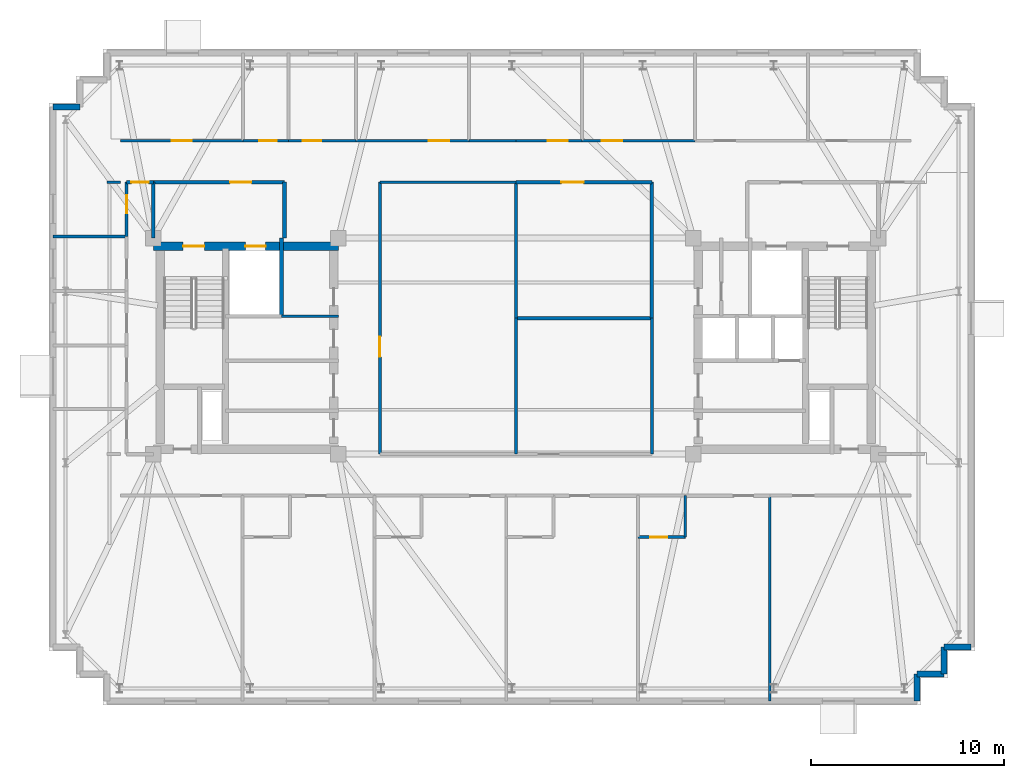
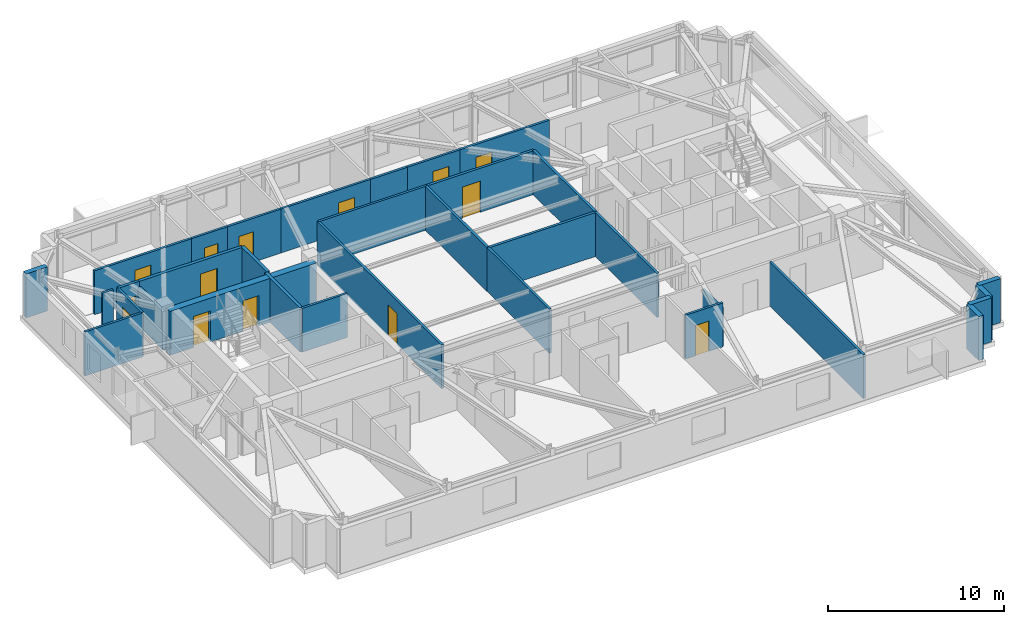
# One storey, part 7 of 12: 33 walls, 14 doors, 14 openings.
"""IFC4 building model written with IfcOpenShell, lengths in metres."""

from ifc_helpers import new_model, si_unit, direction, frame, frame_2d, origin, place, context, subcontext, project, spatial, rectangle, extrude, material, layer, layer_set, type_object, element, fill, save


model = new_model("IFC4")

# Units and contexts
model_context = context("Model", 3, precision=1e-05, world=origin(), true_north=direction((0.0, 1.0)))
body_context = subcontext(model_context, "Body", "Model", "MODEL_VIEW")
ifc_project = project(units=[si_unit("LENGTHUNIT", "METRE"), si_unit("AREAUNIT", "SQUARE_METRE"), si_unit("VOLUMEUNIT", "CUBIC_METRE"), si_unit("PLANEANGLEUNIT", "RADIAN"), si_unit("MASSUNIT", "GRAM", prefix="KILO")], contexts=[model_context])

# Site, building, storey
site_placement = place(None, origin())
site = spatial("IfcSite", under=ifc_project, at=site_placement, CompositionType="ELEMENT")
building_placement = place(site_placement, origin())
building = spatial("IfcBuilding", under=site, at=building_placement, Name="Qobustan Lattice House", CompositionType="ELEMENT")
storey_placement = place(building_placement, frame((0.0, 0.0, 241.699951171875)))
storey = spatial("IfcBuildingStorey", under=building, at=storey_placement, Name="L68", CompositionType="ELEMENT", Elevation=241.699951171875)

# Wall, openings, doors
ifc_material_1 = material(Name="Concrete C50/60", Category="concrete")
ifc_layer_1 = layer(ifc_material_1, 0.43994140625)
ifc_layer_set_1 = layer_set([ifc_layer_1], Name="Concrete C50/60")
wall_type_1 = type_object("IfcWallType", Name="WAL-CORE-440", PredefinedType="SHEAR", material=ifc_layer_set_1)
wall_1_placement = place(storey_placement, frame((-18.800048828125, 5.179931640625, 0.0), z_axis=(0.0, 0.0, 1.0), x_axis=(1.0, 0.0, 0.0)))
wall_1 = element("IfcWall", 1, at=wall_1_placement, inside=storey, type_object=wall_type_1, Name="L68 split-core shear wall CW-N", PredefinedType="SHEAR", context=body_context, shape_type="SweptSolid", body=[
    extrude(rectangle(XDim=9.60009765625, YDim=0.43994140625, at=frame_2d((4.800048828125, 0.0))), origin(), (0.0, 0.0, 1.0), 3.0400390625),
])
opening_1_placement = place(wall_1_placement, frame((1.550048828125, 0.0, 0.0)))
opening_1 = element("IfcOpeningElement", 2, at=opening_1_placement, cuts=wall_1, Name="Opening SD-01", PredefinedType="OPENING", context=body_context, shape_type="SweptSolid", body=[
    extrude(rectangle(XDim=1.10009765625, YDim=2.14990234375, at=frame_2d((0.550048828125, 1.074951171875))), frame((0.0, 0.22998046875, 0.0), z_axis=(0.0, -1.0, 0.0), x_axis=(1.0, 0.0, 0.0)), (0.0, 0.0, 1.0), 0.4599609375),
])
opening_2_placement = place(wall_1_placement, frame((4.77490234375, 0.0, 0.0)))
opening_2 = element("IfcOpeningElement", 3, at=opening_2_placement, cuts=wall_1, Name="Opening LD-01", PredefinedType="OPENING", context=body_context, shape_type="SweptSolid", body=[
    extrude(rectangle(XDim=1.050048828125, YDim=2.10009765625, at=frame_2d((0.52490234375, 1.050048828125))), frame((0.0, 0.22998046875, 0.0), z_axis=(0.0, -1.0, 0.0), x_axis=(1.0, 0.0, 0.0)), (0.0, 0.0, 1.0), 0.4599609375),
])
ifc_material_2 = material(Name="Persian walnut timber and steel frame door", Category="steel")
door_type_1 = type_object("IfcDoorType", Name="DOR-LIFT-LD-1050x2100", OperationType="NOTDEFINED", PredefinedType="DOOR", material=ifc_material_2)
door_1_placement = place(opening_2_placement, origin())
door_1 = element("IfcDoor", 4, at=door_1_placement, inside=storey, type_object=door_type_1, Name="L68 firefighting lift FF-W landing door", OperationType="DOUBLE_DOOR_SLIDING", OverallHeight=2.10009765625, OverallWidth=1.050048828125, PredefinedType="DOOR", context=body_context, shape_type="SweptSolid", body=[
    extrude(rectangle(XDim=1.050048828125, YDim=2.10009765625, at=frame_2d((0.52490234375, 1.050048828125))), frame((0.0, 0.02490234375, 0.0), z_axis=(0.0, -1.0, 0.0), x_axis=(1.0, 0.0, 0.0)), (0.0, 0.0, 1.0), 0.050048828125),
])
fill(opening_2, door_1)
ifc_material_3 = material(Name="Persian walnut timber and steel frame door", Category="steel")
door_type_2 = type_object("IfcDoorType", Name="DOR-STAIR-FD-1100x2150", OperationType="NOTDEFINED", PredefinedType="DOOR", material=ifc_material_3)
door_2_placement = place(opening_1_placement, origin())
door_2 = element("IfcDoor", 5, at=door_2_placement, inside=storey, type_object=door_type_2, Name="L68 exit stair ST-W1 fire door", OperationType="SINGLE_SWING_RIGHT", OverallHeight=2.14990234375, OverallWidth=1.10009765625, PredefinedType="DOOR", context=body_context, shape_type="SweptSolid", body=[
    extrude(rectangle(XDim=1.10009765625, YDim=2.14990234375, at=frame_2d((0.550048828125, 1.074951171875))), frame((0.0, 0.02490234375, 0.0), z_axis=(0.0, -1.0, 0.0), x_axis=(1.0, 0.0, 0.0)), (0.0, 0.0, 1.0), 0.050048828125),
])
fill(opening_1, door_2)

# Walls
ifc_material_4 = material(Name="Precast concrete C40/50", Category="concrete")
ifc_layer_2 = layer(ifc_material_4, 0.320068359375)
ifc_layer_set_2 = layer_set([ifc_layer_2], Name="Precast concrete C40/50")
wall_type_2 = type_object("IfcWallType", Name="WAL-EXT-STONE-320", PredefinedType="SOLIDWALL", material=ifc_layer_set_2)
wall_2_placement = place(storey_placement, frame((-24.0, 12.39990234375, 0.0), z_axis=(0.0, 0.0, 1.0), x_axis=(1.0, 0.0, 0.0)))
element("IfcWall", 6, at=wall_2_placement, inside=storey, type_object=wall_type_2, Name="L68 exterior limestone-clad wall 6", PredefinedType="SOLIDWALL", context=body_context, shape_type="SweptSolid", body=[
    extrude(rectangle(XDim=1.39990234375, YDim=0.320068359375, at=frame_2d((0.699951171875, 0.0))), origin(), (0.0, 0.0, 1.0), 3.0400390625),
])
wall_3_placement = place(storey_placement, frame((23.60009765625, -15.60009765625, 0.0), z_axis=(0.0, 0.0, 1.0), x_axis=(-1.0, 0.0, 0.0)))
element("IfcWall", 7, at=wall_3_placement, inside=storey, type_object=wall_type_2, Name="L68 exterior limestone-clad wall 16", PredefinedType="SOLIDWALL", context=body_context, shape_type="SweptSolid", body=[
    extrude(rectangle(XDim=1.400146484375, YDim=0.320068359375, at=frame_2d((0.7001953125, 0.0))), origin(), (0.0, 0.0, 1.0), 3.0400390625),
])
for number, where, z_axis, x_axis, name in (
    (8, (22.199951171875, -15.60009765625, 0.0), (0.0, 0.0, 1.0), (0.0, -1.0, 0.0), "L68 exterior limestone-clad wall 17"),
    (9, (22.199951171875, -17.0, 0.0), (0.0, 0.0, 1.0), (-1.0, 0.0, 0.0), "L68 exterior limestone-clad wall 18"),
    (10, (20.800048828125, -17.0, 0.0), (0.0, 0.0, 1.0), (0.0, -1.0, 0.0), "L68 exterior limestone-clad wall 19"),
):
    element("IfcWall", number, at=place(storey_placement, frame(where, z_axis=z_axis, x_axis=x_axis)), inside=storey, type_object=wall_type_2, Name=name, PredefinedType="SOLIDWALL", context=body_context, shape_type="SweptSolid", body=[
        extrude(rectangle(XDim=1.39990234375, YDim=0.320068359375, at=frame_2d((0.699951171875, 0.0))), origin(), (0.0, 0.0, 1.0), 3.0400390625),
    ])

# Wall, opening, door
ifc_material_5 = material(Name="Gypsum fireboard acoustic partition", Category="gypsum")
ifc_layer_3 = layer(ifc_material_5, 0.179931640625)
ifc_layer_set_3 = layer_set([ifc_layer_3], Name="Gypsum fireboard acoustic partition")
wall_type_3 = type_object("IfcWallType", Name="WAL-FIRE-180", PredefinedType="PARTITIONING", material=ifc_layer_set_3)
wall_4_placement = place(storey_placement, frame((-18.800048828125, 8.5, 0.0), z_axis=(0.0, 0.0, 1.0), x_axis=(-1.0, 0.0, 0.0)))
wall_4 = element("IfcWall", 11, at=wall_4_placement, inside=storey, type_object=wall_type_3, Name="L68 interior partition 28", PredefinedType="PARTITIONING", context=body_context, shape_type="SweptSolid", body=[
    extrude(rectangle(XDim=1.3798828125, YDim=0.179931640625, at=frame_2d((0.68994140625, 0.0))), origin(), (0.0, 0.0, 1.0), 3.0400390625),
])
opening_3_placement = place(wall_4_placement, frame((0.239990234375, 0.0, 0.0)))
opening_3 = element("IfcOpeningElement", 12, at=opening_3_placement, cuts=wall_4, Name="Opening RD-01", PredefinedType="OPENING", context=body_context, shape_type="SweptSolid", body=[
    extrude(rectangle(XDim=0.89990234375, YDim=2.10009765625, at=frame_2d((0.449951171875, 1.050048828125))), frame((0.0, 0.099853515625, 0.0), z_axis=(0.0, -1.0, 0.0), x_axis=(1.0, 0.0, 0.0)), (0.0, 0.0, 1.0), 0.199951171875),
])
ifc_material_6 = material(Name="Persian walnut timber and steel frame door", Category="steel")
door_type_3 = type_object("IfcDoorType", Name="DOR-RISER-FD-900x2100", OperationType="NOTDEFINED", PredefinedType="DOOR", material=ifc_material_6)
door_3_placement = place(opening_3_placement, origin())
door_3 = element("IfcDoor", 13, at=door_3_placement, inside=storey, type_object=door_type_3, Name="L68 North-west floor corridor to Residence entrance hall L68W door", OperationType="SINGLE_SWING_RIGHT", OverallHeight=2.10009765625, OverallWidth=0.89990234375, PredefinedType="DOOR", context=body_context, shape_type="SweptSolid", body=[
    extrude(rectangle(XDim=0.89990234375, YDim=2.10009765625, at=frame_2d((0.449951171875, 1.050048828125))), frame((0.0, 0.02490234375, 0.0), z_axis=(0.0, -1.0, 0.0), x_axis=(1.0, 0.0, 0.0)), (0.0, 0.0, 1.0), 0.050048828125),
])
fill(opening_3, door_3)

# Walls
ifc_material_7 = material(Name="Acoustic twin-stud gypsum partition", Category="gypsum")
ifc_layer_4 = layer(ifc_material_7, 0.14990234375)
ifc_layer_set_4 = layer_set([ifc_layer_4], Name="Acoustic twin-stud gypsum partition")
wall_type_4 = type_object("IfcWallType", Name="WAL-PART-150", PredefinedType="PARTITIONING", material=ifc_layer_set_4)
wall_5_placement = place(storey_placement, frame((-12.14990234375, 1.550048828125, 0.0), z_axis=(0.0, 0.0, 1.0), x_axis=(1.0, 0.0, 0.0)))
element("IfcWall", 14, at=wall_5_placement, inside=storey, type_object=wall_type_4, Name="L68 interior partition 6", PredefinedType="PARTITIONING", context=body_context, shape_type="SweptSolid", body=[
    extrude(rectangle(XDim=2.949951171875, YDim=0.14990234375, at=frame_2d((1.47509765625, 0.0))), origin(), (0.0, 0.0, 1.0), 3.0400390625),
])
wall_6_placement = place(storey_placement, frame((-20.5, 8.5, 0.0), z_axis=(0.0, 0.0, 1.0), x_axis=(-1.0, 0.0, 0.0)))
element("IfcWall", 15, at=wall_6_placement, inside=storey, type_object=wall_type_4, Name="L68 interior partition 29", PredefinedType="PARTITIONING", context=body_context, shape_type="SweptSolid", body=[
    extrude(rectangle(XDim=0.699951171875, YDim=0.14990234375, at=frame_2d((0.35009765625, 0.0))), origin(), (0.0, 0.0, 1.0), 3.0400390625),
])

# Wall, opening, door
wall_7_placement = place(storey_placement, frame((-20.5, 10.64990234375, 0.0), z_axis=(0.0, 0.0, 1.0), x_axis=(1.0, 0.0, 0.0)))
wall_7 = element("IfcWall", 16, at=wall_7_placement, inside=storey, type_object=wall_type_4, Name="L68 interior partition 30", PredefinedType="PARTITIONING", context=body_context, shape_type="SweptSolid", body=[
    extrude(rectangle(XDim=6.35693359375, YDim=0.14990234375, at=frame_2d((3.178466796875, 0.0))), origin(), (0.0, 0.0, 1.0), 3.0400390625),
])
opening_4_placement = place(wall_7_placement, frame((2.653564453125, 0.0, 0.0)))
opening_4 = element("IfcOpeningElement", 17, at=opening_4_placement, cuts=wall_7, Name="Opening ID-02", PredefinedType="OPENING", context=body_context, shape_type="SweptSolid", body=[
    extrude(rectangle(XDim=1.050048828125, YDim=2.14990234375, at=frame_2d((0.52490234375, 1.074951171875))), frame((0.0, 0.0849609375, 0.0), z_axis=(0.0, -1.0, 0.0), x_axis=(1.0, 0.0, 0.0)), (0.0, 0.0, 1.0), 0.169921875),
])
ifc_material_8 = material(Name="Persian walnut timber and steel frame door", Category="steel")
door_type_4 = type_object("IfcDoorType", Name="DOR-STUDY-1050x2150", OperationType="NOTDEFINED", PredefinedType="DOOR", material=ifc_material_8)
door_4_placement = place(opening_4_placement, origin())
door_4 = element("IfcDoor", 18, at=door_4_placement, inside=storey, type_object=door_type_4, Name="L68 North-west floor corridor to Focus study room N1 door", OperationType="SINGLE_SWING_LEFT", OverallHeight=2.14990234375, OverallWidth=1.050048828125, PredefinedType="DOOR", context=body_context, shape_type="SweptSolid", body=[
    extrude(rectangle(XDim=1.050048828125, YDim=2.14990234375, at=frame_2d((0.52490234375, 1.074951171875))), frame((0.0, 0.02490234375, 0.0), z_axis=(0.0, -1.0, 0.0), x_axis=(1.0, 0.0, 0.0)), (0.0, 0.0, 1.0), 0.050048828125),
])
fill(opening_4, door_4)

wall_8_placement = place(storey_placement, frame((-11.79296875, 10.64990234375, 0.0), z_axis=(0.0, 0.0, 1.0), x_axis=(1.0, 0.0, 0.0)))
wall_8 = element("IfcWall", 19, at=wall_8_placement, inside=storey, type_object=wall_type_4, Name="L68 interior partition 32", PredefinedType="PARTITIONING", context=body_context, shape_type="SweptSolid", body=[
    extrude(rectangle(XDim=3.507080078125, YDim=0.14990234375, at=frame_2d((1.75341796875, 0.0))), origin(), (0.0, 0.0, 1.0), 3.0400390625),
])
opening_5_placement = place(wall_8_placement, frame((0.754638671875, 0.0, 0.0)))
opening_5 = element("IfcOpeningElement", 20, at=opening_5_placement, cuts=wall_8, Name="Opening ID-01", PredefinedType="OPENING", context=body_context, shape_type="SweptSolid", body=[
    extrude(rectangle(XDim=0.949951171875, YDim=2.10009765625, at=frame_2d((0.47509765625, 1.050048828125))), frame((0.0, 0.0849609375, 0.0), z_axis=(0.0, -1.0, 0.0), x_axis=(1.0, 0.0, 0.0)), (0.0, 0.0, 1.0), 0.169921875),
])
ifc_material_9 = material(Name="Persian walnut timber and steel frame door", Category="steel")
door_type_5 = type_object("IfcDoorType", Name="DOR-ROOM-950x2100", OperationType="NOTDEFINED", PredefinedType="DOOR", material=ifc_material_9)
door_5_placement = place(opening_5_placement, origin())
door_5 = element("IfcDoor", 21, at=door_5_placement, inside=storey, type_object=door_type_5, Name="L68 North-west floor corridor to Laundry utility room door", OperationType="SINGLE_SWING_LEFT", OverallHeight=2.10009765625, OverallWidth=0.949951171875, PredefinedType="DOOR", context=body_context, shape_type="SweptSolid", body=[
    extrude(rectangle(XDim=0.949951171875, YDim=2.10009765625, at=frame_2d((0.47509765625, 1.050048828125))), frame((0.0, 0.02490234375, 0.0), z_axis=(0.0, -1.0, 0.0), x_axis=(1.0, 0.0, 0.0)), (0.0, 0.0, 1.0), 0.050048828125),
])
fill(opening_5, door_5)

wall_9_placement = place(storey_placement, frame((-8.285888671875, 10.64990234375, 0.0), z_axis=(0.0, 0.0, 1.0), x_axis=(1.0, 0.0, 0.0)))
wall_9 = element("IfcWall", 22, at=wall_9_placement, inside=storey, type_object=wall_type_4, Name="L68 interior partition 33", PredefinedType="PARTITIONING", context=body_context, shape_type="SweptSolid", body=[
    extrude(rectangle(XDim=5.85693359375, YDim=0.14990234375, at=frame_2d((2.928466796875, 0.0))), origin(), (0.0, 0.0, 1.0), 3.0400390625),
])
opening_6_placement = place(wall_9_placement, frame((3.77099609375, 0.0, 0.0)))
opening_6 = element("IfcOpeningElement", 23, at=opening_6_placement, cuts=wall_9, Name="Opening ID-02", PredefinedType="OPENING", context=body_context, shape_type="SweptSolid", body=[
    extrude(rectangle(XDim=1.050048828125, YDim=2.14990234375, at=frame_2d((0.52490234375, 1.074951171875))), frame((0.0, 0.0849609375, 0.0), z_axis=(0.0, -1.0, 0.0), x_axis=(1.0, 0.0, 0.0)), (0.0, 0.0, 1.0), 0.169921875),
])
door_6_placement = place(opening_6_placement, origin())
door_6 = element("IfcDoor", 24, at=door_6_placement, inside=storey, type_object=door_type_4, Name="L68 North-west floor corridor to Focus study room N3 door", OperationType="SINGLE_SWING_RIGHT", OverallHeight=2.14990234375, OverallWidth=1.050048828125, PredefinedType="DOOR", context=body_context, shape_type="SweptSolid", body=[
    extrude(rectangle(XDim=1.050048828125, YDim=2.14990234375, at=frame_2d((0.52490234375, 1.074951171875))), frame((0.0, 0.02490234375, 0.0), z_axis=(0.0, -1.0, 0.0), x_axis=(1.0, 0.0, 0.0)), (0.0, 0.0, 1.0), 0.050048828125),
])
fill(opening_6, door_6)

# Walls
wall_10_placement = place(storey_placement, frame((-2.428955078125, 10.64990234375, 0.0), z_axis=(0.0, 0.0, 1.0), x_axis=(1.0, 0.0, 0.0)))
element("IfcWall", 25, at=wall_10_placement, inside=storey, type_object=wall_type_4, Name="L68 interior partition 34", PredefinedType="PARTITIONING", context=body_context, shape_type="SweptSolid", body=[
    extrude(rectangle(XDim=2.428955078125, YDim=0.14990234375, at=frame_2d((1.21435546875, 0.0))), origin(), (0.0, 0.0, 1.0), 3.0400390625),
])
wall_11_placement = place(storey_placement, frame((0.0, 8.5, 0.0), z_axis=(0.0, 0.0, 1.0), x_axis=(-1.0, 0.0, 0.0)))
element("IfcWall", 26, at=wall_11_placement, inside=storey, type_object=wall_type_4, Name="L68 interior partition 35", PredefinedType="PARTITIONING", context=body_context, shape_type="SweptSolid", body=[
    extrude(rectangle(XDim=7.050048828125, YDim=0.14990234375, at=frame_2d((3.52490234375, 0.0))), origin(), (0.0, 0.0, 1.0), 3.0400390625),
])

# Wall, opening, door
wall_12_placement = place(storey_placement, frame((0.0, 10.64990234375, 0.0), z_axis=(0.0, 0.0, 1.0), x_axis=(1.0, 0.0, 0.0)))
wall_12 = element("IfcWall", 27, at=wall_12_placement, inside=storey, type_object=wall_type_4, Name="L68 interior partition 38", PredefinedType="PARTITIONING", context=body_context, shape_type="SweptSolid", body=[
    extrude(rectangle(XDim=3.428955078125, YDim=0.14990234375, at=frame_2d((1.71435546875, 0.0))), origin(), (0.0, 0.0, 1.0), 3.0400390625),
])
opening_7_placement = place(wall_12_placement, frame((1.646484375, 0.0, 0.0)))
opening_7 = element("IfcOpeningElement", 28, at=opening_7_placement, cuts=wall_12, Name="Opening ID-02", PredefinedType="OPENING", context=body_context, shape_type="SweptSolid", body=[
    extrude(rectangle(XDim=1.050048828125, YDim=2.14990234375, at=frame_2d((0.52490234375, 1.074951171875))), frame((0.0, 0.0849609375, 0.0), z_axis=(0.0, -1.0, 0.0), x_axis=(1.0, 0.0, 0.0)), (0.0, 0.0, 1.0), 0.169921875),
])
door_7_placement = place(opening_7_placement, origin())
door_7 = element("IfcDoor", 29, at=door_7_placement, inside=storey, type_object=door_type_4, Name="L68 North-east floor corridor to Focus study room N4 door", OperationType="SINGLE_SWING_RIGHT", OverallHeight=2.14990234375, OverallWidth=1.050048828125, PredefinedType="DOOR", context=body_context, shape_type="SweptSolid", body=[
    extrude(rectangle(XDim=1.050048828125, YDim=2.14990234375, at=frame_2d((0.52490234375, 1.074951171875))), frame((0.0, 0.02490234375, 0.0), z_axis=(0.0, -1.0, 0.0), x_axis=(1.0, 0.0, 0.0)), (0.0, 0.0, 1.0), 0.050048828125),
])
fill(opening_7, door_7)

wall_13_placement = place(storey_placement, frame((3.428955078125, 10.64990234375, 0.0), z_axis=(0.0, 0.0, 1.0), x_axis=(1.0, 0.0, 0.0)))
wall_13 = element("IfcWall", 30, at=wall_13_placement, inside=storey, type_object=wall_type_4, Name="L68 interior partition 39", PredefinedType="PARTITIONING", context=body_context, shape_type="SweptSolid", body=[
    extrude(rectangle(XDim=5.85693359375, YDim=0.14990234375, at=frame_2d((2.928466796875, 0.0))), origin(), (0.0, 0.0, 1.0), 3.0400390625),
])
opening_8_placement = place(wall_13_placement, frame((1.035888671875, 0.0, 0.0)))
opening_8 = element("IfcOpeningElement", 31, at=opening_8_placement, cuts=wall_13, Name="Opening ID-02", PredefinedType="OPENING", context=body_context, shape_type="SweptSolid", body=[
    extrude(rectangle(XDim=1.050048828125, YDim=2.14990234375, at=frame_2d((0.52490234375, 1.074951171875))), frame((0.0, 0.0849609375, 0.0), z_axis=(0.0, -1.0, 0.0), x_axis=(1.0, 0.0, 0.0)), (0.0, 0.0, 1.0), 0.169921875),
])
door_8_placement = place(opening_8_placement, origin())
door_8 = element("IfcDoor", 32, at=door_8_placement, inside=storey, type_object=door_type_4, Name="L68 North-east floor corridor to Focus study room N5 door", OperationType="SINGLE_SWING_LEFT", OverallHeight=2.14990234375, OverallWidth=1.050048828125, PredefinedType="DOOR", context=body_context, shape_type="SweptSolid", body=[
    extrude(rectangle(XDim=1.050048828125, YDim=2.14990234375, at=frame_2d((0.52490234375, 1.074951171875))), frame((0.0, 0.02490234375, 0.0), z_axis=(0.0, -1.0, 0.0), x_axis=(1.0, 0.0, 0.0)), (0.0, 0.0, 1.0), 0.050048828125),
])
fill(opening_8, door_8)

wall_14_placement = place(storey_placement, frame((-7.050048828125, 8.5, 0.0), z_axis=(0.0, 0.0, 1.0), x_axis=(0.0, -1.0, 0.0)))
wall_14 = element("IfcWall", 33, at=wall_14_placement, inside=storey, type_object=wall_type_4, Name="L68 interior partition 60", PredefinedType="PARTITIONING", context=body_context, shape_type="SweptSolid", body=[
    extrude(rectangle(XDim=14.10009765625, YDim=0.14990234375, at=frame_2d((7.050048828125, 0.0))), origin(), (0.0, 0.0, 1.0), 3.0400390625),
])
opening_9_placement = place(wall_14_placement, frame((8.01123046875, 0.0, 0.0)))
opening_9 = element("IfcOpeningElement", 34, at=opening_9_placement, cuts=wall_14, Name="Opening ID-02", PredefinedType="OPENING", context=body_context, shape_type="SweptSolid", body=[
    extrude(rectangle(XDim=1.050048828125, YDim=2.14990234375, at=frame_2d((0.52490234375, 1.074951171875))), frame((0.0, 0.0849609375, 0.0), z_axis=(0.0, -1.0, 0.0), x_axis=(1.0, 0.0, 0.0)), (0.0, 0.0, 1.0), 0.169921875),
])
door_9_placement = place(opening_9_placement, origin())
door_9 = element("IfcDoor", 35, at=door_9_placement, inside=storey, type_object=door_type_4, Name="L68 West floor link corridor to Central silent study room door", OperationType="SINGLE_SWING_RIGHT", OverallHeight=2.14990234375, OverallWidth=1.050048828125, PredefinedType="DOOR", context=body_context, shape_type="SweptSolid", body=[
    extrude(rectangle(XDim=1.050048828125, YDim=2.14990234375, at=frame_2d((0.52490234375, 1.074951171875))), frame((0.0, 0.02490234375, 0.0), z_axis=(0.0, -1.0, 0.0), x_axis=(1.0, 0.0, 0.0)), (0.0, 0.0, 1.0), 0.050048828125),
])
fill(opening_9, door_9)

# Wall
wall_15_placement = place(storey_placement, frame((7.050048828125, -5.60009765625, 0.0), z_axis=(0.0, 0.0, 1.0), x_axis=(0.0, 1.0, 0.0)))
element("IfcWall", 36, at=wall_15_placement, inside=storey, type_object=wall_type_4, Name="L68 interior partition 61", PredefinedType="PARTITIONING", context=body_context, shape_type="SweptSolid", body=[
    extrude(rectangle(XDim=7.050048828125, YDim=0.14990234375, at=frame_2d((3.52490234375, 0.0))), origin(), (0.0, 0.0, 1.0), 3.0400390625),
])

# Wall, opening, door
wall_16_placement = place(storey_placement, frame((-20.179931640625, 5.679931640625, 0.0), z_axis=(0.0, 0.0, 1.0), x_axis=(0.0, 1.0, 0.0)))
wall_16 = element("IfcWall", 37, at=wall_16_placement, inside=storey, type_object=wall_type_4, Name="L68 interior partition 67", PredefinedType="PARTITIONING", context=body_context, shape_type="SweptSolid", body=[
    extrude(rectangle(XDim=2.820068359375, YDim=0.14990234375, at=frame_2d((1.41015625, 0.0))), origin(), (0.0, 0.0, 1.0), 3.0400390625),
])
opening_10_placement = place(wall_16_placement, frame((1.201171875, 0.0, 0.0)))
opening_10 = element("IfcOpeningElement", 38, at=opening_10_placement, cuts=wall_16, Name="Opening ID-01", PredefinedType="OPENING", context=body_context, shape_type="SweptSolid", body=[
    extrude(rectangle(XDim=0.949951171875, YDim=2.10009765625, at=frame_2d((0.47509765625, 1.050048828125))), frame((0.0, 0.0849609375, 0.0), z_axis=(0.0, -1.0, 0.0), x_axis=(1.0, 0.0, 0.0)), (0.0, 0.0, 1.0), 0.169921875),
])
door_10_placement = place(opening_10_placement, origin())
door_10 = element("IfcDoor", 39, at=door_10_placement, inside=storey, type_object=door_type_5, Name="L68 Residence entrance hall L68W to Cluster bedroom L68W3 door", OperationType="SINGLE_SWING_LEFT", OverallHeight=2.10009765625, OverallWidth=0.949951171875, PredefinedType="DOOR", context=body_context, shape_type="SweptSolid", body=[
    extrude(rectangle(XDim=0.949951171875, YDim=2.10009765625, at=frame_2d((0.47509765625, 1.050048828125))), frame((0.0, 0.02490234375, 0.0), z_axis=(0.0, -1.0, 0.0), x_axis=(1.0, 0.0, 0.0)), (0.0, 0.0, 1.0), 0.050048828125),
])
fill(opening_10, door_10)

# Walls
wall_17_placement = place(storey_placement, frame((-24.0, 5.679931640625, 0.0), z_axis=(0.0, 0.0, 1.0), x_axis=(1.0, 0.0, 0.0)))
element("IfcWall", 40, at=wall_17_placement, inside=storey, type_object=wall_type_4, Name="L68 interior partition 71", PredefinedType="PARTITIONING", context=body_context, shape_type="SweptSolid", body=[
    extrude(rectangle(XDim=3.820068359375, YDim=0.14990234375, at=frame_2d((1.91015625, 0.0))), origin(), (0.0, 0.0, 1.0), 3.0400390625),
])
wall_18_placement = place(storey_placement, frame((13.1669921875, -7.75, 0.0), z_axis=(0.0, 0.0, 1.0), x_axis=(0.0, -1.0, 0.0)))
element("IfcWall", 41, at=wall_18_placement, inside=storey, type_object=wall_type_4, Name="L68 interior partition 95", PredefinedType="PARTITIONING", context=body_context, shape_type="SweptSolid", body=[
    extrude(rectangle(XDim=10.64990234375, YDim=0.14990234375, at=frame_2d((5.324951171875, 0.0))), origin(), (0.0, 0.0, 1.0), 3.0400390625),
])
wall_19_placement = place(storey_placement, frame((0.0, 1.449951171875, 0.0), z_axis=(0.0, 0.0, 1.0), x_axis=(0.0, -1.0, 0.0)))
element("IfcWall", 42, at=wall_19_placement, inside=storey, type_object=wall_type_4, Name="L68 interior partition 96", PredefinedType="PARTITIONING", context=body_context, shape_type="SweptSolid", body=[
    extrude(rectangle(XDim=7.050048828125, YDim=0.14990234375, at=frame_2d((3.52490234375, 0.0))), origin(), (0.0, 0.0, 1.0), 3.0400390625),
])

# Wall, opening, door
ifc_material_10 = material(Name="High-mass acoustic twin-stud partition", Category="gypsum")
ifc_layer_5 = layer(ifc_material_10, 0.1650390625)
ifc_layer_set_5 = layer_set([ifc_layer_5], Name="High-mass acoustic twin-stud partition")
wall_type_5 = type_object("IfcWallType", Name="WAL-PART-165", PredefinedType="PARTITIONING", material=ifc_layer_set_5)
wall_20_placement = place(storey_placement, frame((7.050048828125, 8.5, 0.0), z_axis=(0.0, 0.0, 1.0), x_axis=(-1.0, 0.0, 0.0)))
wall_20 = element("IfcWall", 43, at=wall_20_placement, inside=storey, type_object=wall_type_5, Name="L68 interior partition 42", PredefinedType="PARTITIONING", context=body_context, shape_type="SweptSolid", body=[
    extrude(rectangle(XDim=7.050048828125, YDim=0.1650390625, at=frame_2d((3.52490234375, 0.0))), origin(), (0.0, 0.0, 1.0), 3.0400390625),
])
opening_11_placement = place(wall_20_placement, frame((3.54248046875, 0.0, 0.0)))
opening_11 = element("IfcOpeningElement", 44, at=opening_11_placement, cuts=wall_20, Name="Opening ID-03", PredefinedType="OPENING", context=body_context, shape_type="SweptSolid", body=[
    extrude(rectangle(XDim=1.14990234375, YDim=2.14990234375, at=frame_2d((0.574951171875, 1.074951171875))), frame((0.0, 0.092529296875, 0.0), z_axis=(0.0, -1.0, 0.0), x_axis=(1.0, 0.0, 0.0)), (0.0, 0.0, 1.0), 0.18505859375),
])
ifc_material_11 = material(Name="Persian walnut timber and steel frame door", Category="steel")
door_type_6 = type_object("IfcDoorType", Name="DOR-KITCH-1150x2150", OperationType="NOTDEFINED", PredefinedType="DOOR", material=ifc_material_11)
door_11_placement = place(opening_11_placement, origin())
door_11 = element("IfcDoor", 45, at=door_11_placement, inside=storey, type_object=door_type_6, Name="L68 North-east floor corridor to Communal kitchen dining door", OperationType="SINGLE_SWING_RIGHT", OverallHeight=2.14990234375, OverallWidth=1.14990234375, PredefinedType="DOOR", context=body_context, shape_type="SweptSolid", body=[
    extrude(rectangle(XDim=1.14990234375, YDim=2.14990234375, at=frame_2d((0.574951171875, 1.074951171875))), frame((0.0, 0.02490234375, 0.0), z_axis=(0.0, -1.0, 0.0), x_axis=(1.0, 0.0, 0.0)), (0.0, 0.0, 1.0), 0.050048828125),
])
fill(opening_11, door_11)

# Walls
for number, where, z_axis, x_axis, name in (
    (46, (7.050048828125, 1.449951171875, 0.0), (0.0, 0.0, 1.0), (0.0, 1.0, 0.0), "L68 interior partition 62"),
    (47, (0.0, 8.5, 0.0), (0.0, 0.0, 1.0), (0.0, -1.0, 0.0), "L68 interior partition 97"),
    (48, (0.0, 1.449951171875, 0.0), (0.0, 0.0, 1.0), (1.0, 0.0, 0.0), "L68 interior partition 98"),
):
    element("IfcWall", number, at=place(storey_placement, frame(where, z_axis=z_axis, x_axis=x_axis)), inside=storey, type_object=wall_type_5, Name=name, PredefinedType="PARTITIONING", context=body_context, shape_type="SweptSolid", body=[
        extrude(rectangle(XDim=7.050048828125, YDim=0.1650390625, at=frame_2d((3.52490234375, 0.0))), origin(), (0.0, 0.0, 1.0), 3.0400390625),
    ])

# Wall, opening, door
ifc_material_12 = material(Name="Two-hour gypsum fireboard acoustic partition", Category="gypsum")
ifc_layer_6 = layer(ifc_material_12, 0.199951171875)
ifc_layer_set_6 = layer_set([ifc_layer_6], Name="Two-hour gypsum fireboard acoustic partition")
wall_type_6 = type_object("IfcWallType", Name="WAL-PROT-200", PredefinedType="PARTITIONING", material=ifc_layer_set_6)
wall_21_placement = place(storey_placement, frame((-12.0, 8.5, 0.0), z_axis=(0.0, 0.0, 1.0), x_axis=(-1.0, 0.0, 0.0)))
wall_21 = element("IfcWall", 49, at=wall_21_placement, inside=storey, type_object=wall_type_6, Name="L68 interior partition 3", PredefinedType="PARTITIONING", context=body_context, shape_type="SweptSolid", body=[
    extrude(rectangle(XDim=6.800048828125, YDim=0.199951171875, at=frame_2d((3.39990234375, 0.0))), origin(), (0.0, 0.0, 1.0), 3.0400390625),
])
opening_12_placement = place(wall_21_placement, frame((1.715087890625, 0.0, 0.0)))
opening_12 = element("IfcOpeningElement", 50, at=opening_12_placement, cuts=wall_21, Name="Opening SD-01", PredefinedType="OPENING", context=body_context, shape_type="SweptSolid", body=[
    extrude(rectangle(XDim=1.10009765625, YDim=2.14990234375, at=frame_2d((0.550048828125, 1.074951171875))), frame((0.0, 0.10986328125, 0.0), z_axis=(0.0, -1.0, 0.0), x_axis=(1.0, 0.0, 0.0)), (0.0, 0.0, 1.0), 0.219970703125),
])
door_12_placement = place(opening_12_placement, origin())
door_12 = element("IfcDoor", 51, at=door_12_placement, inside=storey, type_object=door_type_2, Name="L68 West firefighting lift lobby to North-west floor corridor door", OperationType="SINGLE_SWING_RIGHT", OverallHeight=2.14990234375, OverallWidth=1.10009765625, PredefinedType="DOOR", context=body_context, shape_type="SweptSolid", body=[
    extrude(rectangle(XDim=1.10009765625, YDim=2.14990234375, at=frame_2d((0.550048828125, 1.074951171875))), frame((0.0, 0.02490234375, 0.0), z_axis=(0.0, -1.0, 0.0), x_axis=(1.0, 0.0, 0.0)), (0.0, 0.0, 1.0), 0.050048828125),
])
fill(opening_12, door_12)

# Walls
wall_22_placement = place(storey_placement, frame((-12.0, 5.60009765625, 0.0), z_axis=(0.0, 0.0, 1.0), x_axis=(0.0, 1.0, 0.0)))
element("IfcWall", 52, at=wall_22_placement, inside=storey, type_object=wall_type_6, Name="L68 interior partition 4", PredefinedType="PARTITIONING", context=body_context, shape_type="SweptSolid", body=[
    extrude(rectangle(XDim=2.89990234375, YDim=0.199951171875, at=frame_2d((1.449951171875, 0.0))), origin(), (0.0, 0.0, 1.0), 3.0400390625),
])
wall_23_placement = place(storey_placement, frame((-18.800048828125, 8.5, 0.0), z_axis=(0.0, 0.0, 1.0), x_axis=(0.0, -1.0, 0.0)))
element("IfcWall", 53, at=wall_23_placement, inside=storey, type_object=wall_type_6, Name="L68 interior partition 5", PredefinedType="PARTITIONING", context=body_context, shape_type="SweptSolid", body=[
    extrude(rectangle(XDim=2.89990234375, YDim=0.199951171875, at=frame_2d((1.449951171875, 0.0))), origin(), (0.0, 0.0, 1.0), 2.6650390625),
])
ifc_material_13 = material(Name="Concrete C40/50", Category="concrete")
ifc_layer_7 = layer(ifc_material_13, 0.199951171875)
ifc_layer_set_7 = layer_set([ifc_layer_7], Name="Concrete C40/50")
wall_type_7 = type_object("IfcWallType", Name="WAL-SHAFT-200", PredefinedType="PARTITIONING", material=ifc_layer_set_7)
wall_24_placement = place(storey_placement, frame((-12.14990234375, 1.550048828125, 0.0), z_axis=(0.0, 0.0, 1.0), x_axis=(0.0, 1.0, 0.0)))
element("IfcWall", 54, at=wall_24_placement, inside=storey, type_object=wall_type_7, Name="L68 interior partition 2", PredefinedType="PARTITIONING", context=body_context, shape_type="SweptSolid", body=[
    extrude(rectangle(XDim=4.050048828125, YDim=0.199951171875, at=frame_2d((2.02490234375, 0.0))), origin(), (0.0, 0.0, 1.0), 3.0400390625),
])

# Wall, opening, door
ifc_material_14 = material(Name="Moisture-resistant acoustic plumbing wall", Category="gypsum")
ifc_layer_8 = layer(ifc_material_14, 0.14990234375)
ifc_layer_set_8 = layer_set([ifc_layer_8], Name="Moisture-resistant acoustic plumbing wall")
wall_type_8 = type_object("IfcWallType", Name="WAL-WET-150", PredefinedType="PLUMBINGWALL", material=ifc_layer_set_8)
wall_25_placement = place(storey_placement, frame((-14.14306640625, 10.64990234375, 0.0), z_axis=(0.0, 0.0, 1.0), x_axis=(1.0, 0.0, 0.0)))
wall_25 = element("IfcWall", 55, at=wall_25_placement, inside=storey, type_object=wall_type_8, Name="L68 interior partition 31", PredefinedType="PLUMBINGWALL", context=body_context, shape_type="SweptSolid", body=[
    extrude(rectangle(XDim=2.35009765625, YDim=0.14990234375, at=frame_2d((1.175048828125, 0.0))), origin(), (0.0, 0.0, 1.0), 3.0400390625),
])
opening_13_placement = place(wall_25_placement, frame((0.833740234375, 0.0, 0.0)))
opening_13 = element("IfcOpeningElement", 56, at=opening_13_placement, cuts=wall_25, Name="Opening WD-01", PredefinedType="OPENING", context=body_context, shape_type="SweptSolid", body=[
    extrude(rectangle(XDim=0.89990234375, YDim=2.10009765625, at=frame_2d((0.449951171875, 1.050048828125))), frame((0.0, 0.0849609375, 0.0), z_axis=(0.0, -1.0, 0.0), x_axis=(1.0, 0.0, 0.0)), (0.0, 0.0, 1.0), 0.169921875),
])
ifc_material_15 = material(Name="Persian walnut timber and steel frame door", Category="steel")
door_type_7 = type_object("IfcDoorType", Name="DOR-WET-900x2100", OperationType="NOTDEFINED", PredefinedType="DOOR", material=ifc_material_15)
door_13_placement = place(opening_13_placement, origin())
door_13 = element("IfcDoor", 57, at=door_13_placement, inside=storey, type_object=door_type_7, Name="L68 North-west floor corridor to Accessible WC door", OperationType="SINGLE_SWING_RIGHT", OverallHeight=2.10009765625, OverallWidth=0.89990234375, PredefinedType="DOOR", context=body_context, shape_type="SweptSolid", body=[
    extrude(rectangle(XDim=0.89990234375, YDim=2.10009765625, at=frame_2d((0.449951171875, 1.050048828125))), frame((0.0, 0.02490234375, 0.0), z_axis=(0.0, -1.0, 0.0), x_axis=(1.0, 0.0, 0.0)), (0.0, 0.0, 1.0), 0.050048828125),
])
fill(opening_13, door_13)

wall_26_placement = place(storey_placement, frame((6.3330078125, -9.89990234375, 0.0), z_axis=(0.0, 0.0, 1.0), x_axis=(1.0, 0.0, 0.0)))
wall_26 = element("IfcWall", 58, at=wall_26_placement, inside=storey, type_object=wall_type_8, Name="L68 interior partition 93", PredefinedType="PLUMBINGWALL", context=body_context, shape_type="SweptSolid", body=[
    extrude(rectangle(XDim=2.449951171875, YDim=0.14990234375, at=frame_2d((1.22509765625, 0.0))), origin(), (0.0, 0.0, 1.0), 3.0400390625),
])
opening_14_placement = place(wall_26_placement, frame((0.628662109375, 0.0, 0.0)))
opening_14 = element("IfcOpeningElement", 59, at=opening_14_placement, cuts=wall_26, Name="Opening WD-01", PredefinedType="OPENING", context=body_context, shape_type="SweptSolid", body=[
    extrude(rectangle(XDim=0.89990234375, YDim=2.10009765625, at=frame_2d((0.449951171875, 1.050048828125))), frame((0.0, 0.0849609375, 0.0), z_axis=(0.0, -1.0, 0.0), x_axis=(1.0, 0.0, 0.0)), (0.0, 0.0, 1.0), 0.169921875),
])
door_14_placement = place(opening_14_placement, origin())
door_14 = element("IfcDoor", 60, at=door_14_placement, inside=storey, type_object=door_type_7, Name="L68 Kitchenette and studio apartment L68-S5 to En-suite bathroom L68-S5 door", OperationType="SINGLE_SWING_LEFT", OverallHeight=2.10009765625, OverallWidth=0.89990234375, PredefinedType="DOOR", context=body_context, shape_type="SweptSolid", body=[
    extrude(rectangle(XDim=0.89990234375, YDim=2.10009765625, at=frame_2d((0.449951171875, 1.050048828125))), frame((0.0, 0.02490234375, 0.0), z_axis=(0.0, -1.0, 0.0), x_axis=(1.0, 0.0, 0.0)), (0.0, 0.0, 1.0), 0.050048828125),
])
fill(opening_14, door_14)

# Wall
wall_27_placement = place(storey_placement, frame((8.782958984375, -9.89990234375, 0.0), z_axis=(0.0, 0.0, 1.0), x_axis=(0.0, 1.0, 0.0)))
element("IfcWall", 61, at=wall_27_placement, inside=storey, type_object=wall_type_8, Name="L68 interior partition 94", PredefinedType="PLUMBINGWALL", context=body_context, shape_type="SweptSolid", body=[
    extrude(rectangle(XDim=2.14990234375, YDim=0.14990234375, at=frame_2d((1.074951171875, 0.0))), origin(), (0.0, 0.0, 1.0), 2.6650390625),
])

save(model, "model.ifc")
